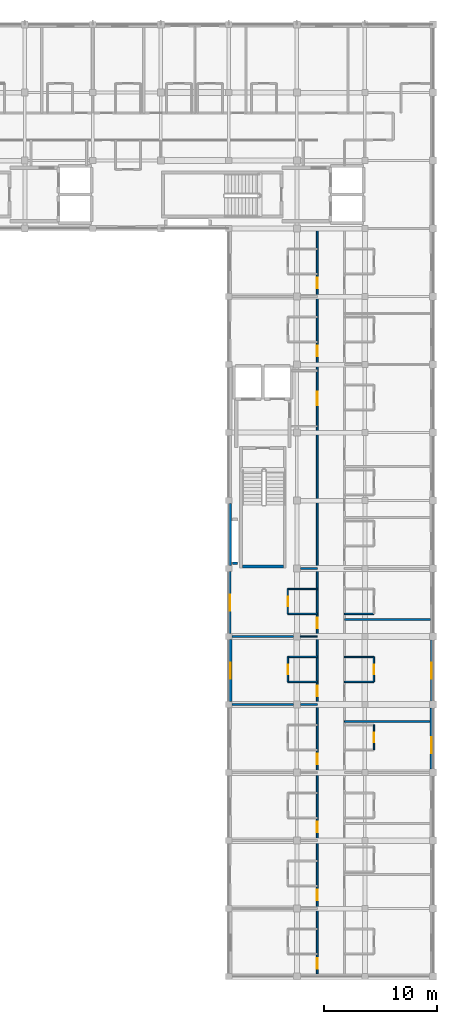
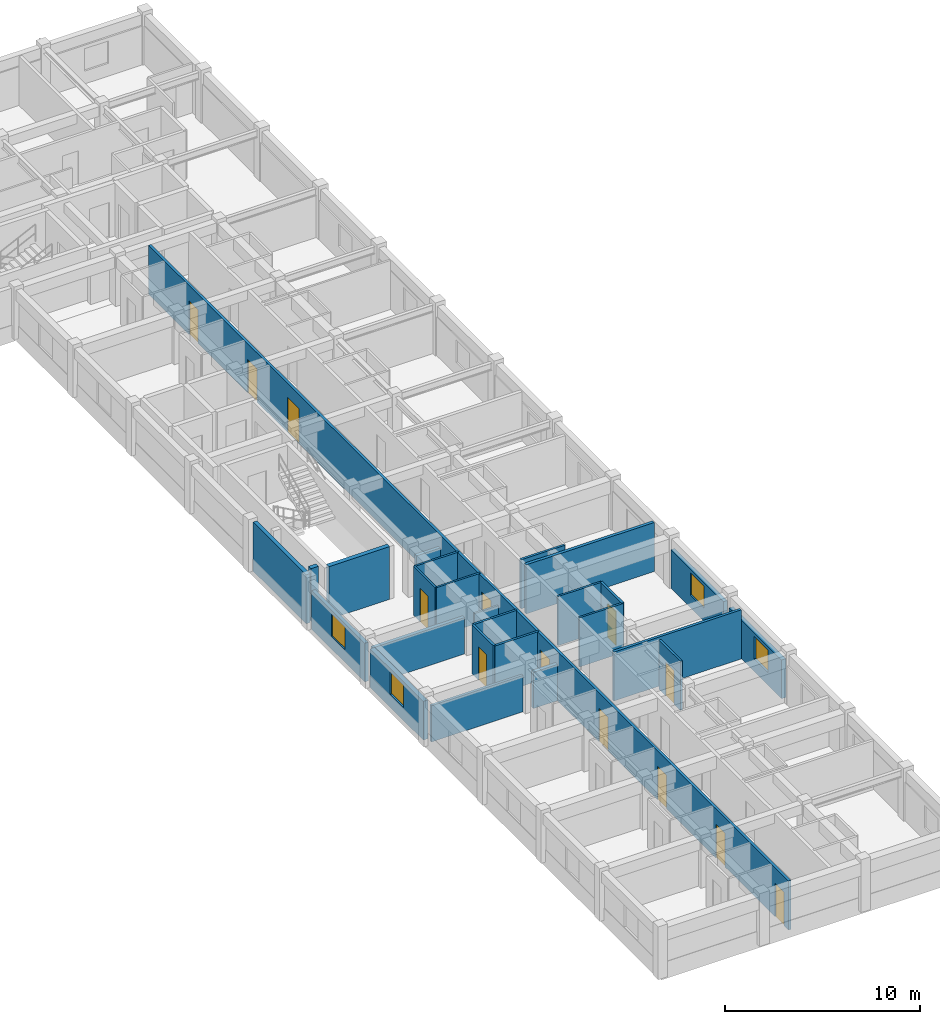
# One storey, part 5 of 21: 26 walls, 13 doors, 4 windows, 17 openings.
"""IFC4 building model written with IfcOpenShell, lengths in metres."""

from ifc_helpers import new_model, si_unit, direction, frame, frame_2d, origin, place, context, subcontext, project, spatial, rectangle, extrude, material, layer, layer_set, type_object, element, fill, save


model = new_model("IFC4")

# Units and contexts
model_context = context("Model", 3, precision=1e-05, world=origin(), true_north=direction((0.0, 1.0)))
body_context = subcontext(model_context, "Body", "Model", "MODEL_VIEW")
ifc_project = project(units=[si_unit("LENGTHUNIT", "METRE"), si_unit("AREAUNIT", "SQUARE_METRE"), si_unit("VOLUMEUNIT", "CUBIC_METRE"), si_unit("PLANEANGLEUNIT", "RADIAN"), si_unit("MASSUNIT", "GRAM", prefix="KILO"), si_unit("THERMODYNAMICTEMPERATUREUNIT", "KELVIN"), si_unit("POWERUNIT", "WATT")], contexts=[model_context])

# Site, building, storey
site_placement = place(None, origin())
site = spatial("IfcSite", under=ifc_project, at=site_placement, CompositionType="ELEMENT")
building_placement = place(site_placement, origin())
building = spatial("IfcBuilding", under=site, at=building_placement, Name="Phaisarnlok Congress Hotel", CompositionType="ELEMENT")
storey_placement = place(building_placement, frame((0.0, 0.0, 34.800048828125)))
storey = spatial("IfcBuildingStorey", under=building, at=storey_placement, Name="L08", CompositionType="ELEMENT", Elevation=34.800048828125)

# Wall, opening, window
ifc_material_1 = material(Name="Concrete C40/50", Category="concrete")
ifc_layer_1 = layer(ifc_material_1, 0.2099609375, Name="Concrete C40/50")
ifc_layer_set_1 = layer_set([ifc_layer_1], Name="Concrete C40/50")
wall_type_1 = type_object("IfcWallType", Name="WL-EXT-210", PredefinedType="SOLIDWALL", material=ifc_layer_set_1)
wall_1_placement = place(storey_placement, frame((162.10498046875, 77.719970703125, 0.0), z_axis=(0.0, 0.0, 1.0), x_axis=(0.0, -1.0, 0.0)))
wall_1 = element("IfcWall", 1, at=wall_1_placement, inside=storey, type_object=wall_type_1, Name="Exterior wall EW-07 (L08)", PredefinedType="SOLIDWALL", context=body_context, shape_type="SweptSolid", body=[
    extrude(rectangle(XDim=5.43994140625, YDim=0.2099609375, at=frame_2d((2.719970703125, 0.0))), origin(), (0.0, 0.0, 1.0), 2.419921875),
])
opening_1_placement = place(wall_1_placement, frame((2.02001953125, 0.0, 0.800048828125)))
opening_1 = element("IfcOpeningElement", 2, at=opening_1_placement, cuts=wall_1, Name="Opening W-13", PredefinedType="OPENING", context=body_context, shape_type="SweptSolid", body=[
    extrude(rectangle(XDim=1.39990234375, YDim=1.39990234375, at=frame_2d((0.699951171875, 0.699951171875))), frame((0.0, 0.114990234375, 0.0), z_axis=(0.0, -1.0, 0.0), x_axis=(1.0, 0.0, 0.0)), (0.0, 0.0, 1.0), 0.22998046875),
])
ifc_material_2 = material(Name="Thermally Broken Aluminium & Low-E Double Glazing", Category="aluminium")
window_type = type_object("IfcWindowType", Name="WIN-POD-1400", PartitioningType="SINGLE_PANEL", PredefinedType="WINDOW", material=ifc_material_2)
window_1_placement = place(opening_1_placement, origin())
window_1 = element("IfcWindow", 3, at=window_1_placement, inside=storey, type_object=window_type, Name="Guestroom window W-13 (L08)", OverallHeight=1.39990234375, OverallWidth=1.39990234375, PartitioningType="SINGLE_PANEL", PredefinedType="WINDOW", context=body_context, shape_type="SweptSolid", body=[
    extrude(rectangle(XDim=1.39990234375, YDim=1.39990234375, at=frame_2d((0.699951171875, 0.699951171875))), frame((0.0, 0.030029296875, 0.0), z_axis=(0.0, -1.0, 0.0), x_axis=(1.0, 0.0, 0.0)), (0.0, 0.0, 1.0), 0.06005859375),
])
fill(opening_1, window_1)

ifc_layer_2 = layer(ifc_material_1, 0.22998046875, Name="Concrete C40/50")
ifc_layer_set_2 = layer_set([ifc_layer_2], Name="Concrete C40/50")
wall_type_2 = type_object("IfcWallType", Name="WL-EXT-230", PredefinedType="SOLIDWALL", material=ifc_layer_set_2)
wall_2_placement = place(storey_placement, frame((179.885009765625, 66.304931640625, 0.0), z_axis=(0.0, 0.0, 1.0), x_axis=(0.0, 1.0, 0.0)))
wall_2 = element("IfcWall", 4, at=wall_2_placement, inside=storey, type_object=wall_type_2, Name="Exterior wall EW-06 (L08)", PredefinedType="SOLIDWALL", context=body_context, shape_type="SweptSolid", body=[
    extrude(rectangle(XDim=5.39013671875, YDim=0.22998046875, at=frame_2d((2.695068359375, 0.0))), origin(), (0.0, 0.0, 1.0), 2.419921875),
])
opening_2_placement = place(wall_2_placement, frame((1.9951171875, 0.0, 0.800048828125)))
opening_2 = element("IfcOpeningElement", 5, at=opening_2_placement, cuts=wall_2, Name="Opening W-13", PredefinedType="OPENING", context=body_context, shape_type="SweptSolid", body=[
    extrude(rectangle(XDim=1.39990234375, YDim=1.39990234375, at=frame_2d((0.699951171875, 0.699951171875))), frame((0.0, 0.125, 0.0), z_axis=(0.0, -1.0, 0.0), x_axis=(1.0, 0.0, 0.0)), (0.0, 0.0, 1.0), 0.25),
])
window_2_placement = place(opening_2_placement, origin())
window_2 = element("IfcWindow", 6, at=window_2_placement, inside=storey, type_object=window_type, Name="Guestroom window W-13 (L08)", OverallHeight=1.39990234375, OverallWidth=1.39990234375, PartitioningType="SINGLE_PANEL", PredefinedType="WINDOW", context=body_context, shape_type="SweptSolid", body=[
    extrude(rectangle(XDim=1.39990234375, YDim=1.39990234375, at=frame_2d((0.699951171875, 0.699951171875))), frame((0.0, 0.030029296875, 0.0), z_axis=(0.0, -1.0, 0.0), x_axis=(1.0, 0.0, 0.0)), (0.0, 0.0, 1.0), 0.06005859375),
])
fill(opening_2, window_2)

# Wall
wall_3_placement = place(storey_placement, frame((162.114990234375, 83.719970703125, 0.0), z_axis=(0.0, 0.0, 1.0), x_axis=(0.0, -1.0, 0.0)))
element("IfcWall", 7, at=wall_3_placement, inside=storey, type_object=wall_type_2, Name="Exterior wall EW-06 (L08)", PredefinedType="SOLIDWALL", context=body_context, shape_type="SweptSolid", body=[
    extrude(rectangle(XDim=5.43994140625, YDim=0.22998046875, at=frame_2d((2.719970703125, 0.0))), origin(), (0.0, 0.0, 1.0), 3.070068359375),
])

# Wall, opening, window
ifc_layer_3 = layer(ifc_material_1, 0.25, Name="Concrete C40/50")
ifc_layer_set_3 = layer_set([ifc_layer_3], Name="Concrete C40/50")
wall_type_3 = type_object("IfcWallType", Name="WL-EXT-250", PredefinedType="SOLIDWALL", material=ifc_layer_set_3)
wall_4_placement = place(storey_placement, frame((179.875, 60.304931640625, 0.0), z_axis=(0.0, 0.0, 1.0), x_axis=(0.0, 1.0, 0.0)))
wall_4 = element("IfcWall", 8, at=wall_4_placement, inside=storey, type_object=wall_type_3, Name="Exterior wall EW-05 (L08)", PredefinedType="SOLIDWALL", context=body_context, shape_type="SweptSolid", body=[
    extrude(rectangle(XDim=5.39013671875, YDim=0.25, at=frame_2d((2.695068359375, 0.0))), origin(), (0.0, 0.0, 1.0), 2.419921875),
])
opening_3_placement = place(wall_4_placement, frame((1.406982421875, 0.0, 0.800048828125)))
opening_3 = element("IfcOpeningElement", 9, at=opening_3_placement, cuts=wall_4, Name="Opening W-13", PredefinedType="OPENING", context=body_context, shape_type="SweptSolid", body=[
    extrude(rectangle(XDim=1.39990234375, YDim=1.39990234375, at=frame_2d((0.699951171875, 0.699951171875))), frame((0.0, 0.135009765625, 0.0), z_axis=(0.0, -1.0, 0.0), x_axis=(1.0, 0.0, 0.0)), (0.0, 0.0, 1.0), 0.27001953125),
])
window_3_placement = place(opening_3_placement, origin())
window_3 = element("IfcWindow", 10, at=window_3_placement, inside=storey, type_object=window_type, Name="Guestroom window W-13 (L08)", OverallHeight=1.39990234375, OverallWidth=1.39990234375, PartitioningType="SINGLE_PANEL", PredefinedType="WINDOW", context=body_context, shape_type="SweptSolid", body=[
    extrude(rectangle(XDim=1.39990234375, YDim=1.39990234375, at=frame_2d((0.699951171875, 0.699951171875))), frame((0.0, 0.030029296875, 0.0), z_axis=(0.0, -1.0, 0.0), x_axis=(1.0, 0.0, 0.0)), (0.0, 0.0, 1.0), 0.06005859375),
])
fill(opening_3, window_3)

ifc_layer_4 = layer(ifc_material_1, 0.27001953125, Name="Concrete C40/50")
ifc_layer_set_4 = layer_set([ifc_layer_4], Name="Concrete C40/50")
wall_type_4 = type_object("IfcWallType", Name="WL-EXT-270", PredefinedType="SOLIDWALL", material=ifc_layer_set_4)
wall_5_placement = place(storey_placement, frame((162.135009765625, 71.719970703125, 0.0), z_axis=(0.0, 0.0, 1.0), x_axis=(0.0, -1.0, 0.0)))
wall_5 = element("IfcWall", 11, at=wall_5_placement, inside=storey, type_object=wall_type_4, Name="Exterior wall EW-04 (L08)", PredefinedType="SOLIDWALL", context=body_context, shape_type="SweptSolid", body=[
    extrude(rectangle(XDim=5.43994140625, YDim=0.27001953125, at=frame_2d((2.719970703125, 0.0))), origin(), (0.0, 0.0, 1.0), 2.419921875),
])
opening_4_placement = place(wall_5_placement, frame((2.02001953125, 0.0, 0.800048828125)))
opening_4 = element("IfcOpeningElement", 12, at=opening_4_placement, cuts=wall_5, Name="Opening W-13", PredefinedType="OPENING", context=body_context, shape_type="SweptSolid", body=[
    extrude(rectangle(XDim=1.39990234375, YDim=1.39990234375, at=frame_2d((0.699951171875, 0.699951171875))), frame((0.0, 0.14501953125, 0.0), z_axis=(0.0, -1.0, 0.0), x_axis=(1.0, 0.0, 0.0)), (0.0, 0.0, 1.0), 0.2900390625),
])
window_4_placement = place(opening_4_placement, origin())
window_4 = element("IfcWindow", 13, at=window_4_placement, inside=storey, type_object=window_type, Name="Guestroom window W-13 (L08)", OverallHeight=1.39990234375, OverallWidth=1.39990234375, PartitioningType="SINGLE_PANEL", PredefinedType="WINDOW", context=body_context, shape_type="SweptSolid", body=[
    extrude(rectangle(XDim=1.39990234375, YDim=1.39990234375, at=frame_2d((0.699951171875, 0.699951171875))), frame((0.0, 0.030029296875, 0.0), z_axis=(0.0, -1.0, 0.0), x_axis=(1.0, 0.0, 0.0)), (0.0, 0.0, 1.0), 0.06005859375),
])
fill(opening_4, window_4)

# Wall
ifc_material_3 = material(Name="Service Riser Shaftwall Partition", Category="gypsum")
ifc_layer_5 = layer(ifc_material_3, 0.10498046875, Name="Service Riser Shaftwall Partition")
ifc_layer_set_5 = layer_set([ifc_layer_5], Name="Service Riser Shaftwall Partition")
wall_type_5 = type_object("IfcWallType", Name="WL-INT-105", PredefinedType="PARTITIONING", material=ifc_layer_set_5)
wall_6_placement = place(storey_placement, frame((168.304931640625, 72.0, 0.0), z_axis=(0.0, 0.0, 1.0), x_axis=(1.0, 0.0, 0.0)))
element("IfcWall", 14, at=wall_6_placement, inside=storey, type_object=wall_type_5, Name="Interior partition wall IW-08 (L08)", PredefinedType="PARTITIONING", context=body_context, shape_type="SweptSolid", body=[
    extrude(rectangle(XDim=1.4951171875, YDim=0.10498046875, at=frame_2d((0.74755859375, 0.0))), origin(), (0.0, 0.0, 1.0), 2.27001953125),
])

# Wall, opening, door
ifc_material_4 = material(Name="Lightweight Metal-Stud Gypsum Partition", Category="gypsum")
ifc_layer_6 = layer(ifc_material_4, 0.1201171875, Name="Lightweight Metal-Stud Gypsum Partition")
ifc_layer_set_6 = layer_set([ifc_layer_6], Name="Lightweight Metal-Stud Gypsum Partition")
wall_type_6 = type_object("IfcWallType", Name="WL-INT-120", PredefinedType="PARTITIONING", material=ifc_layer_set_6)
wall_7_placement = place(storey_placement, frame((167.199951171875, 74.0, 0.0), z_axis=(0.0, 0.0, 1.0), x_axis=(0.0, 1.0, 0.0)))
wall_7 = element("IfcWall", 15, at=wall_7_placement, inside=storey, type_object=wall_type_6, Name="Interior partition wall IW-07 (L08)", PredefinedType="PARTITIONING", context=body_context, shape_type="SweptSolid", body=[
    extrude(rectangle(XDim=2.199951171875, YDim=0.1201171875, at=frame_2d((1.10009765625, 0.0))), origin(), (0.0, 0.0, 1.0), 3.070068359375),
])
opening_5_placement = place(wall_7_placement, frame((0.675048828125, 0.0, 0.0)))
opening_5 = element("IfcOpeningElement", 16, at=opening_5_placement, cuts=wall_7, Name="Opening D-0480", PredefinedType="OPENING", context=body_context, shape_type="SweptSolid", body=[
    extrude(rectangle(XDim=0.85009765625, YDim=2.10009765625, at=frame_2d((0.425048828125, 1.050048828125))), frame((0.0, 0.070068359375, 0.0), z_axis=(0.0, -1.0, 0.0), x_axis=(1.0, 0.0, 0.0)), (0.0, 0.0, 1.0), 0.14013671875),
])
ifc_material_5 = material(Name="Moisture-Resistant Lacquered Timber", Category="wood")
door_type_1 = type_object("IfcDoorType", Name="DR-BATH-850", OperationType="NOTDEFINED", PredefinedType="DOOR", material=ifc_material_5)
door_1_placement = place(opening_5_placement, origin())
door_1 = element("IfcDoor", 17, at=door_1_placement, inside=storey, type_object=door_type_1, Name="Interior door D-0480 (L08)", OperationType="SINGLE_SWING_LEFT", OverallHeight=2.10009765625, OverallWidth=0.85009765625, PredefinedType="DOOR", context=body_context, shape_type="SweptSolid", body=[
    extrude(rectangle(XDim=0.85009765625, YDim=2.10009765625, at=frame_2d((0.425048828125, 1.050048828125))), frame((0.0, 0.02490234375, 0.0), z_axis=(0.0, -1.0, 0.0), x_axis=(1.0, 0.0, 0.0)), (0.0, 0.0, 1.0), 0.050048828125),
])
fill(opening_5, door_1)

wall_8_placement = place(storey_placement, frame((174.800048828125, 62.0, 0.0), z_axis=(0.0, 0.0, 1.0), x_axis=(0.0, 1.0, 0.0)))
wall_8 = element("IfcWall", 18, at=wall_8_placement, inside=storey, type_object=wall_type_6, Name="Interior partition wall IW-07 (L08)", PredefinedType="PARTITIONING", context=body_context, shape_type="SweptSolid", body=[
    extrude(rectangle(XDim=2.199951171875, YDim=0.1201171875, at=frame_2d((1.10009765625, 0.0))), origin(), (0.0, 0.0, 1.0), 3.070068359375),
])
opening_6_placement = place(wall_8_placement, frame((0.675048828125, 0.0, 0.0)))
opening_6 = element("IfcOpeningElement", 19, at=opening_6_placement, cuts=wall_8, Name="Opening D-0453", PredefinedType="OPENING", context=body_context, shape_type="SweptSolid", body=[
    extrude(rectangle(XDim=0.85009765625, YDim=2.10009765625, at=frame_2d((0.425048828125, 1.050048828125))), frame((0.0, 0.070068359375, 0.0), z_axis=(0.0, -1.0, 0.0), x_axis=(1.0, 0.0, 0.0)), (0.0, 0.0, 1.0), 0.14013671875),
])
door_2_placement = place(opening_6_placement, origin())
door_2 = element("IfcDoor", 20, at=door_2_placement, inside=storey, type_object=door_type_1, Name="Interior door D-0453 (L08)", OperationType="SINGLE_SWING_RIGHT", OverallHeight=2.10009765625, OverallWidth=0.85009765625, PredefinedType="DOOR", context=body_context, shape_type="SweptSolid", body=[
    extrude(rectangle(XDim=0.85009765625, YDim=2.10009765625, at=frame_2d((0.425048828125, 1.050048828125))), frame((0.0, 0.02490234375, 0.0), z_axis=(0.0, -1.0, 0.0), x_axis=(1.0, 0.0, 0.0)), (0.0, 0.0, 1.0), 0.050048828125),
])
fill(opening_6, door_2)

# Walls
for number, where, z_axis, x_axis, name in (
    (21, (172.199951171875, 68.0, 0.0), (0.0, 0.0, 1.0), (1.0, 0.0, 0.0), "Interior partition wall IW-07 (L08)"),
    (22, (172.199951171875, 70.199951171875, 0.0), (0.0, 0.0, 1.0), (1.0, 0.0, 0.0), "Interior partition wall IW-07 (L08)"),
    (23, (167.199951171875, 74.0, 0.0), (0.0, 0.0, 1.0), (1.0, 0.0, 0.0), "Interior partition wall IW-07 (L08)"),
    (24, (167.199951171875, 76.199951171875, 0.0), (0.0, 0.0, 1.0), (1.0, 0.0, 0.0), "Interior partition wall IW-07 (L08)"),
):
    element("IfcWall", number, at=place(storey_placement, frame(where, z_axis=z_axis, x_axis=x_axis)), inside=storey, type_object=wall_type_6, Name=name, PredefinedType="PARTITIONING", context=body_context, shape_type="SweptSolid", body=[
        extrude(rectangle(XDim=2.60009765625, YDim=0.1201171875, at=frame_2d((1.300048828125, 0.0))), origin(), (0.0, 0.0, 1.0), 3.070068359375),
    ])

# Wall, opening, door
ifc_material_6 = material(Name="Moisture-Resistant Gypsum Partition", Category="gypsum")
ifc_layer_7 = layer(ifc_material_6, 0.135009765625, Name="Moisture-Resistant Gypsum Partition")
ifc_layer_set_7 = layer_set([ifc_layer_7], Name="Moisture-Resistant Gypsum Partition")
wall_type_7 = type_object("IfcWallType", Name="WL-INT-135", PredefinedType="PARTITIONING", material=ifc_layer_set_7)
wall_9_placement = place(storey_placement, frame((167.199951171875, 68.0, 0.0), z_axis=(0.0, 0.0, 1.0), x_axis=(0.0, 1.0, 0.0)))
wall_9 = element("IfcWall", 25, at=wall_9_placement, inside=storey, type_object=wall_type_7, Name="Interior partition wall IW-06 (L08)", PredefinedType="PARTITIONING", context=body_context, shape_type="SweptSolid", body=[
    extrude(rectangle(XDim=2.199951171875, YDim=0.135009765625, at=frame_2d((1.10009765625, 0.0))), origin(), (0.0, 0.0, 1.0), 3.070068359375),
])
opening_7_placement = place(wall_9_placement, frame((0.675048828125, 0.0, 0.0)))
opening_7 = element("IfcOpeningElement", 26, at=opening_7_placement, cuts=wall_9, Name="Opening D-0478", PredefinedType="OPENING", context=body_context, shape_type="SweptSolid", body=[
    extrude(rectangle(XDim=0.85009765625, YDim=2.10009765625, at=frame_2d((0.425048828125, 1.050048828125))), frame((0.0, 0.07763671875, 0.0), z_axis=(0.0, -1.0, 0.0), x_axis=(1.0, 0.0, 0.0)), (0.0, 0.0, 1.0), 0.155029296875),
])
door_3_placement = place(opening_7_placement, origin())
door_3 = element("IfcDoor", 27, at=door_3_placement, inside=storey, type_object=door_type_1, Name="Interior door D-0478 (L08)", OperationType="SINGLE_SWING_LEFT", OverallHeight=2.10009765625, OverallWidth=0.85009765625, PredefinedType="DOOR", context=body_context, shape_type="SweptSolid", body=[
    extrude(rectangle(XDim=0.85009765625, YDim=2.10009765625, at=frame_2d((0.425048828125, 1.050048828125))), frame((0.0, 0.02490234375, 0.0), z_axis=(0.0, -1.0, 0.0), x_axis=(1.0, 0.0, 0.0)), (0.0, 0.0, 1.0), 0.050048828125),
])
fill(opening_7, door_3)

wall_10_placement = place(storey_placement, frame((174.800048828125, 68.0, 0.0), z_axis=(0.0, 0.0, 1.0), x_axis=(0.0, 1.0, 0.0)))
wall_10 = element("IfcWall", 28, at=wall_10_placement, inside=storey, type_object=wall_type_7, Name="Interior partition wall IW-06 (L08)", PredefinedType="PARTITIONING", context=body_context, shape_type="SweptSolid", body=[
    extrude(rectangle(XDim=2.199951171875, YDim=0.135009765625, at=frame_2d((1.10009765625, 0.0))), origin(), (0.0, 0.0, 1.0), 3.070068359375),
])
opening_8_placement = place(wall_10_placement, frame((0.675048828125, 0.0, 0.0)))
opening_8 = element("IfcOpeningElement", 29, at=opening_8_placement, cuts=wall_10, Name="Opening D-0455", PredefinedType="OPENING", context=body_context, shape_type="SweptSolid", body=[
    extrude(rectangle(XDim=0.85009765625, YDim=2.10009765625, at=frame_2d((0.425048828125, 1.050048828125))), frame((0.0, 0.07763671875, 0.0), z_axis=(0.0, -1.0, 0.0), x_axis=(1.0, 0.0, 0.0)), (0.0, 0.0, 1.0), 0.155029296875),
])
door_4_placement = place(opening_8_placement, origin())
door_4 = element("IfcDoor", 30, at=door_4_placement, inside=storey, type_object=door_type_1, Name="Interior door D-0455 (L08)", OperationType="SINGLE_SWING_RIGHT", OverallHeight=2.10009765625, OverallWidth=0.85009765625, PredefinedType="DOOR", context=body_context, shape_type="SweptSolid", body=[
    extrude(rectangle(XDim=0.85009765625, YDim=2.10009765625, at=frame_2d((0.425048828125, 1.050048828125))), frame((0.0, 0.02490234375, 0.0), z_axis=(0.0, -1.0, 0.0), x_axis=(1.0, 0.0, 0.0)), (0.0, 0.0, 1.0), 0.050048828125),
])
fill(opening_8, door_4)

# Walls
for number, where, z_axis, x_axis, name in (
    (31, (167.199951171875, 68.0, 0.0), (0.0, 0.0, 1.0), (1.0, 0.0, 0.0), "Interior partition wall IW-06 (L08)"),
    (32, (167.199951171875, 70.199951171875, 0.0), (0.0, 0.0, 1.0), (1.0, 0.0, 0.0), "Interior partition wall IW-06 (L08)"),
    (33, (172.199951171875, 74.0, 0.0), (0.0, 0.0, 1.0), (1.0, 0.0, 0.0), "Interior partition wall IW-06 (L08)"),
):
    element("IfcWall", number, at=place(storey_placement, frame(where, z_axis=z_axis, x_axis=x_axis)), inside=storey, type_object=wall_type_7, Name=name, PredefinedType="PARTITIONING", context=body_context, shape_type="SweptSolid", body=[
        extrude(rectangle(XDim=2.60009765625, YDim=0.135009765625, at=frame_2d((1.300048828125, 0.0))), origin(), (0.0, 0.0, 1.0), 3.070068359375),
    ])

# Wall, openings, doors
ifc_material_7 = material(Name="Acoustic Gypsum Board & Mineral Wool", Category="gypsum")
ifc_layer_8 = layer(ifc_material_7, 0.14990234375, Name="Acoustic Gypsum Board & Mineral Wool")
ifc_layer_set_8 = layer_set([ifc_layer_8], Name="Acoustic Gypsum Board & Mineral Wool")
wall_type_8 = type_object("IfcWallType", Name="WL-INT-150", PredefinedType="PARTITIONING", material=ifc_layer_set_8)
wall_11_placement = place(storey_placement, frame((169.800048828125, 42.235107421875, 0.0), z_axis=(0.0, 0.0, 1.0), x_axis=(0.0, 1.0, 0.0)))
wall_11 = element("IfcWall", 34, at=wall_11_placement, inside=storey, type_object=wall_type_8, Name="Interior partition wall IW-05 (L08)", PredefinedType="PARTITIONING", context=body_context, shape_type="SweptSolid", body=[
    extrude(rectangle(XDim=65.5849609375, YDim=0.14990234375, at=frame_2d((32.79248046875, 0.0))), origin(), (0.0, 0.0, 1.0), 3.070068359375),
])
opening_9_placement = place(wall_11_placement, frame((50.1650390625, 0.0, 0.0)))
opening_9 = element("IfcOpeningElement", 35, at=opening_9_placement, cuts=wall_11, Name="Opening D-0400", PredefinedType="OPENING", context=body_context, shape_type="SweptSolid", body=[
    extrude(rectangle(XDim=1.199951171875, YDim=2.199951171875, at=frame_2d((0.60009765625, 1.10009765625))), frame((0.0, 0.0849609375, 0.0), z_axis=(0.0, -1.0, 0.0), x_axis=(1.0, 0.0, 0.0)), (0.0, 0.0, 1.0), 0.169921875),
])
opening_10_placement = place(wall_11_placement, frame((0.43994140625, 0.0, 0.0)))
opening_10 = element("IfcOpeningElement", 36, at=opening_10_placement, cuts=wall_11, Name="Opening D-0471", PredefinedType="OPENING", context=body_context, shape_type="SweptSolid", body=[
    extrude(rectangle(XDim=0.949951171875, YDim=2.10009765625, at=frame_2d((0.47509765625, 1.050048828125))), frame((0.0, 0.0849609375, 0.0), z_axis=(0.0, -1.0, 0.0), x_axis=(1.0, 0.0, 0.0)), (0.0, 0.0, 1.0), 0.169921875),
])
opening_11_placement = place(wall_11_placement, frame((6.489990234375, 0.0, 0.0)))
opening_11 = element("IfcOpeningElement", 37, at=opening_11_placement, cuts=wall_11, Name="Opening D-0473", PredefinedType="OPENING", context=body_context, shape_type="SweptSolid", body=[
    extrude(rectangle(XDim=0.949951171875, YDim=2.10009765625, at=frame_2d((0.47509765625, 1.050048828125))), frame((0.0, 0.0849609375, 0.0), z_axis=(0.0, -1.0, 0.0), x_axis=(1.0, 0.0, 0.0)), (0.0, 0.0, 1.0), 0.169921875),
])
opening_12_placement = place(wall_11_placement, frame((12.489990234375, 0.0, 0.0)))
opening_12 = element("IfcOpeningElement", 38, at=opening_12_placement, cuts=wall_11, Name="Opening D-0475", PredefinedType="OPENING", context=body_context, shape_type="SweptSolid", body=[
    extrude(rectangle(XDim=0.949951171875, YDim=2.10009765625, at=frame_2d((0.47509765625, 1.050048828125))), frame((0.0, 0.0849609375, 0.0), z_axis=(0.0, -1.0, 0.0), x_axis=(1.0, 0.0, 0.0)), (0.0, 0.0, 1.0), 0.169921875),
])
opening_13_placement = place(wall_11_placement, frame((18.489990234375, 0.0, 0.0)))
opening_13 = element("IfcOpeningElement", 39, at=opening_13_placement, cuts=wall_11, Name="Opening D-0477", PredefinedType="OPENING", context=body_context, shape_type="SweptSolid", body=[
    extrude(rectangle(XDim=0.949951171875, YDim=2.10009765625, at=frame_2d((0.47509765625, 1.050048828125))), frame((0.0, 0.0849609375, 0.0), z_axis=(0.0, -1.0, 0.0), x_axis=(1.0, 0.0, 0.0)), (0.0, 0.0, 1.0), 0.169921875),
])
opening_14_placement = place(wall_11_placement, frame((24.489990234375, 0.0, 0.0)))
opening_14 = element("IfcOpeningElement", 40, at=opening_14_placement, cuts=wall_11, Name="Opening D-0479", PredefinedType="OPENING", context=body_context, shape_type="SweptSolid", body=[
    extrude(rectangle(XDim=0.949951171875, YDim=2.10009765625, at=frame_2d((0.47509765625, 1.050048828125))), frame((0.0, 0.0849609375, 0.0), z_axis=(0.0, -1.0, 0.0), x_axis=(1.0, 0.0, 0.0)), (0.0, 0.0, 1.0), 0.169921875),
])
opening_15_placement = place(wall_11_placement, frame((30.489990234375, 0.0, 0.0)))
opening_15 = element("IfcOpeningElement", 41, at=opening_15_placement, cuts=wall_11, Name="Opening D-0481", PredefinedType="OPENING", context=body_context, shape_type="SweptSolid", body=[
    extrude(rectangle(XDim=0.949951171875, YDim=2.10009765625, at=frame_2d((0.47509765625, 1.050048828125))), frame((0.0, 0.0849609375, 0.0), z_axis=(0.0, -1.0, 0.0), x_axis=(1.0, 0.0, 0.0)), (0.0, 0.0, 1.0), 0.169921875),
])
opening_16_placement = place(wall_11_placement, frame((54.489990234375, 0.0, 0.0)))
opening_16 = element("IfcOpeningElement", 42, at=opening_16_placement, cuts=wall_11, Name="Opening D-0483", PredefinedType="OPENING", context=body_context, shape_type="SweptSolid", body=[
    extrude(rectangle(XDim=0.949951171875, YDim=2.10009765625, at=frame_2d((0.47509765625, 1.050048828125))), frame((0.0, 0.0849609375, 0.0), z_axis=(0.0, -1.0, 0.0), x_axis=(1.0, 0.0, 0.0)), (0.0, 0.0, 1.0), 0.169921875),
])
opening_17_placement = place(wall_11_placement, frame((60.489990234375, 0.0, 0.0)))
opening_17 = element("IfcOpeningElement", 43, at=opening_17_placement, cuts=wall_11, Name="Opening D-0485", PredefinedType="OPENING", context=body_context, shape_type="SweptSolid", body=[
    extrude(rectangle(XDim=0.949951171875, YDim=2.10009765625, at=frame_2d((0.47509765625, 1.050048828125))), frame((0.0, 0.0849609375, 0.0), z_axis=(0.0, -1.0, 0.0), x_axis=(1.0, 0.0, 0.0)), (0.0, 0.0, 1.0), 0.169921875),
])
ifc_material_8 = material(Name="Acoustic Solid-Core Teak Veneer", Category="wood")
door_type_2 = type_object("IfcDoorType", Name="DR-FD30-950", OperationType="NOTDEFINED", PredefinedType="DOOR", material=ifc_material_8)
door_5_placement = place(opening_10_placement, origin())
door_5 = element("IfcDoor", 44, at=door_5_placement, inside=storey, type_object=door_type_2, Name="Interior door D-0471 (L08)", OperationType="SINGLE_SWING_RIGHT", OverallHeight=2.10009765625, OverallWidth=0.949951171875, PredefinedType="DOOR", context=body_context, shape_type="SweptSolid", body=[
    extrude(rectangle(XDim=0.949951171875, YDim=2.10009765625, at=frame_2d((0.47509765625, 1.050048828125))), frame((0.0, 0.02490234375, 0.0), z_axis=(0.0, -1.0, 0.0), x_axis=(1.0, 0.0, 0.0)), (0.0, 0.0, 1.0), 0.050048828125),
])
fill(opening_10, door_5)
door_6_placement = place(opening_11_placement, origin())
door_6 = element("IfcDoor", 45, at=door_6_placement, inside=storey, type_object=door_type_2, Name="Interior door D-0473 (L08)", OperationType="SINGLE_SWING_RIGHT", OverallHeight=2.10009765625, OverallWidth=0.949951171875, PredefinedType="DOOR", context=body_context, shape_type="SweptSolid", body=[
    extrude(rectangle(XDim=0.949951171875, YDim=2.10009765625, at=frame_2d((0.47509765625, 1.050048828125))), frame((0.0, 0.02490234375, 0.0), z_axis=(0.0, -1.0, 0.0), x_axis=(1.0, 0.0, 0.0)), (0.0, 0.0, 1.0), 0.050048828125),
])
fill(opening_11, door_6)
door_7_placement = place(opening_12_placement, origin())
door_7 = element("IfcDoor", 46, at=door_7_placement, inside=storey, type_object=door_type_2, Name="Interior door D-0475 (L08)", OperationType="SINGLE_SWING_RIGHT", OverallHeight=2.10009765625, OverallWidth=0.949951171875, PredefinedType="DOOR", context=body_context, shape_type="SweptSolid", body=[
    extrude(rectangle(XDim=0.949951171875, YDim=2.10009765625, at=frame_2d((0.47509765625, 1.050048828125))), frame((0.0, 0.02490234375, 0.0), z_axis=(0.0, -1.0, 0.0), x_axis=(1.0, 0.0, 0.0)), (0.0, 0.0, 1.0), 0.050048828125),
])
fill(opening_12, door_7)
door_8_placement = place(opening_13_placement, origin())
door_8 = element("IfcDoor", 47, at=door_8_placement, inside=storey, type_object=door_type_2, Name="Interior door D-0477 (L08)", OperationType="SINGLE_SWING_RIGHT", OverallHeight=2.10009765625, OverallWidth=0.949951171875, PredefinedType="DOOR", context=body_context, shape_type="SweptSolid", body=[
    extrude(rectangle(XDim=0.949951171875, YDim=2.10009765625, at=frame_2d((0.47509765625, 1.050048828125))), frame((0.0, 0.02490234375, 0.0), z_axis=(0.0, -1.0, 0.0), x_axis=(1.0, 0.0, 0.0)), (0.0, 0.0, 1.0), 0.050048828125),
])
fill(opening_13, door_8)
door_9_placement = place(opening_14_placement, origin())
door_9 = element("IfcDoor", 48, at=door_9_placement, inside=storey, type_object=door_type_2, Name="Interior door D-0479 (L08)", OperationType="SINGLE_SWING_RIGHT", OverallHeight=2.10009765625, OverallWidth=0.949951171875, PredefinedType="DOOR", context=body_context, shape_type="SweptSolid", body=[
    extrude(rectangle(XDim=0.949951171875, YDim=2.10009765625, at=frame_2d((0.47509765625, 1.050048828125))), frame((0.0, 0.02490234375, 0.0), z_axis=(0.0, -1.0, 0.0), x_axis=(1.0, 0.0, 0.0)), (0.0, 0.0, 1.0), 0.050048828125),
])
fill(opening_14, door_9)
door_10_placement = place(opening_15_placement, origin())
door_10 = element("IfcDoor", 49, at=door_10_placement, inside=storey, type_object=door_type_2, Name="Interior door D-0481 (L08)", OperationType="SINGLE_SWING_RIGHT", OverallHeight=2.10009765625, OverallWidth=0.949951171875, PredefinedType="DOOR", context=body_context, shape_type="SweptSolid", body=[
    extrude(rectangle(XDim=0.949951171875, YDim=2.10009765625, at=frame_2d((0.47509765625, 1.050048828125))), frame((0.0, 0.02490234375, 0.0), z_axis=(0.0, -1.0, 0.0), x_axis=(1.0, 0.0, 0.0)), (0.0, 0.0, 1.0), 0.050048828125),
])
fill(opening_15, door_10)
door_11_placement = place(opening_16_placement, origin())
door_11 = element("IfcDoor", 50, at=door_11_placement, inside=storey, type_object=door_type_2, Name="Interior door D-0483 (L08)", OperationType="SINGLE_SWING_RIGHT", OverallHeight=2.10009765625, OverallWidth=0.949951171875, PredefinedType="DOOR", context=body_context, shape_type="SweptSolid", body=[
    extrude(rectangle(XDim=0.949951171875, YDim=2.10009765625, at=frame_2d((0.47509765625, 1.050048828125))), frame((0.0, 0.02490234375, 0.0), z_axis=(0.0, -1.0, 0.0), x_axis=(1.0, 0.0, 0.0)), (0.0, 0.0, 1.0), 0.050048828125),
])
fill(opening_16, door_11)
door_12_placement = place(opening_17_placement, origin())
door_12 = element("IfcDoor", 51, at=door_12_placement, inside=storey, type_object=door_type_2, Name="Interior door D-0485 (L08)", OperationType="SINGLE_SWING_RIGHT", OverallHeight=2.10009765625, OverallWidth=0.949951171875, PredefinedType="DOOR", context=body_context, shape_type="SweptSolid", body=[
    extrude(rectangle(XDim=0.949951171875, YDim=2.10009765625, at=frame_2d((0.47509765625, 1.050048828125))), frame((0.0, 0.02490234375, 0.0), z_axis=(0.0, -1.0, 0.0), x_axis=(1.0, 0.0, 0.0)), (0.0, 0.0, 1.0), 0.050048828125),
])
fill(opening_17, door_12)
ifc_material_9 = material(Name="Fire-Rated Steel Frame & Timber Leaf", Category="steel")
door_type_3 = type_object("IfcDoorType", Name="DR-FD60-1200", OperationType="NOTDEFINED", PredefinedType="DOOR", material=ifc_material_9)
door_13_placement = place(opening_9_placement, origin())
door_13 = element("IfcDoor", 52, at=door_13_placement, inside=storey, type_object=door_type_3, Name="Interior door D-0400 (L08)", OperationType="SINGLE_SWING_RIGHT", OverallHeight=2.199951171875, OverallWidth=1.199951171875, PredefinedType="DOOR", context=body_context, shape_type="SweptSolid", body=[
    extrude(rectangle(XDim=1.199951171875, YDim=2.199951171875, at=frame_2d((0.60009765625, 1.10009765625))), frame((0.0, 0.02490234375, 0.0), z_axis=(0.0, -1.0, 0.0), x_axis=(1.0, 0.0, 0.0)), (0.0, 0.0, 1.0), 0.050048828125),
])
fill(opening_9, door_13)

# Walls
wall_12_placement = place(storey_placement, frame((162.280029296875, 66.0, 0.0), z_axis=(0.0, 0.0, 1.0), x_axis=(1.0, 0.0, 0.0)))
element("IfcWall", 53, at=wall_12_placement, inside=storey, type_object=wall_type_8, Name="Interior partition wall IW-05 (L08)", PredefinedType="PARTITIONING", context=body_context, shape_type="SweptSolid", body=[
    extrude(rectangle(XDim=5.4150390625, YDim=0.14990234375, at=frame_2d((2.70751953125, 0.0))), origin(), (0.0, 0.0, 1.0), 2.27001953125),
])
ifc_material_10 = material(Name="Double-Stud Acoustic Gypsum Partition", Category="gypsum")
ifc_layer_9 = layer(ifc_material_10, 0.159912109375, Name="Double-Stud Acoustic Gypsum Partition")
ifc_layer_set_9 = layer_set([ifc_layer_9], Name="Double-Stud Acoustic Gypsum Partition")
wall_type_9 = type_object("IfcWallType", Name="WL-INT-160", PredefinedType="PARTITIONING", material=ifc_layer_set_9)
wall_13_placement = place(storey_placement, frame((172.199951171875, 64.5, 0.0), z_axis=(0.0, 0.0, 1.0), x_axis=(1.0, 0.0, 0.0)))
element("IfcWall", 54, at=wall_13_placement, inside=storey, type_object=wall_type_9, Name="Interior partition wall IW-04 (L08)", PredefinedType="PARTITIONING", context=body_context, shape_type="SweptSolid", body=[
    extrude(rectangle(XDim=7.545166015625, YDim=0.159912109375, at=frame_2d((3.7724609375, 0.0))), origin(), (0.0, 0.0, 1.0), 3.070068359375),
])
ifc_material_11 = material(Name="Autoclaved Aerated Concrete Block", Category="concrete")
ifc_layer_10 = layer(ifc_material_11, 0.179931640625, Name="Autoclaved Aerated Concrete Block")
ifc_layer_set_10 = layer_set([ifc_layer_10], Name="Autoclaved Aerated Concrete Block")
wall_type_10 = type_object("IfcWallType", Name="WL-INT-180", PredefinedType="PARTITIONING", material=ifc_layer_set_10)
wall_14_placement = place(storey_placement, frame((172.199951171875, 73.5, 0.0), z_axis=(0.0, 0.0, 1.0), x_axis=(1.0, 0.0, 0.0)))
element("IfcWall", 55, at=wall_14_placement, inside=storey, type_object=wall_type_10, Name="Interior partition wall IW-03 (L08)", PredefinedType="PARTITIONING", context=body_context, shape_type="SweptSolid", body=[
    extrude(rectangle(XDim=7.5849609375, YDim=0.179931640625, at=frame_2d((3.79248046875, 0.0))), origin(), (0.0, 0.0, 1.0), 3.070068359375),
])
wall_15_placement = place(storey_placement, frame((168.304931640625, 78.0, 0.0), z_axis=(0.0, 0.0, 1.0), x_axis=(1.0, 0.0, 0.0)))
element("IfcWall", 56, at=wall_15_placement, inside=storey, type_object=wall_type_10, Name="Interior partition wall IW-03 (L08)", PredefinedType="PARTITIONING", context=body_context, shape_type="SweptSolid", body=[
    extrude(rectangle(XDim=1.4951171875, YDim=0.179931640625, at=frame_2d((0.74755859375, 0.0))), origin(), (0.0, 0.0, 1.0), 2.27001953125),
])
ifc_layer_11 = layer(ifc_material_11, 0.199951171875, Name="Autoclaved Aerated Concrete Block")
ifc_layer_set_11 = layer_set([ifc_layer_11], Name="Autoclaved Aerated Concrete Block")
wall_type_11 = type_object("IfcWallType", Name="WL-INT-200", PredefinedType="PARTITIONING", material=ifc_layer_set_11)
wall_16_placement = place(storey_placement, frame((168.304931640625, 66.0, 0.0), z_axis=(0.0, 0.0, 1.0), x_axis=(1.0, 0.0, 0.0)))
element("IfcWall", 57, at=wall_16_placement, inside=storey, type_object=wall_type_11, Name="Interior partition wall IW-02 (L08)", PredefinedType="PARTITIONING", context=body_context, shape_type="SweptSolid", body=[
    extrude(rectangle(XDim=1.4951171875, YDim=0.199951171875, at=frame_2d((0.74755859375, 0.0))), origin(), (0.0, 0.0, 1.0), 2.27001953125),
])
wall_17_placement = place(storey_placement, frame((162.280029296875, 72.0, 0.0), z_axis=(0.0, 0.0, 1.0), x_axis=(1.0, 0.0, 0.0)))
element("IfcWall", 58, at=wall_17_placement, inside=storey, type_object=wall_type_11, Name="Interior partition wall IW-02 (L08)", PredefinedType="PARTITIONING", context=body_context, shape_type="SweptSolid", body=[
    extrude(rectangle(XDim=5.4150390625, YDim=0.199951171875, at=frame_2d((2.70751953125, 0.0))), origin(), (0.0, 0.0, 1.0), 2.27001953125),
])
ifc_material_12 = material(Name="Concrete C50/60", Category="concrete")
ifc_layer_12 = layer(ifc_material_12, 0.260009765625, Name="Concrete C50/60")
ifc_layer_set_12 = layer_set([ifc_layer_12], Name="Concrete C50/60")
wall_type_12 = type_object("IfcWallType", Name="WL-SHR-260", PredefinedType="SHEAR", material=ifc_layer_set_12)
wall_18_placement = place(storey_placement, frame((163.199951171875, 78.169921875, 0.0), z_axis=(0.0, 0.0, 1.0), x_axis=(1.0, 0.0, 0.0)))
element("IfcWall", 59, at=wall_18_placement, inside=storey, type_object=wall_type_12, Name="Stair shaft shear wall SW-04 (CORE-3 L08)", PredefinedType="SHEAR", context=body_context, shape_type="SweptSolid", body=[
    extrude(rectangle(XDim=3.60009765625, YDim=0.260009765625, at=frame_2d((1.800048828125, 0.0))), origin(), (0.0, 0.0, 1.0), 3.300048828125),
])
wall_19_placement = place(storey_placement, frame((162.330078125, 78.469970703125, 0.0), z_axis=(0.0, 0.0, 1.0), x_axis=(1.0, 0.0, 0.0)))
element("IfcWall", 60, at=wall_19_placement, inside=storey, type_object=wall_type_12, Name="Service riser shaft wall SW-04 (CORE-3 L08)", PredefinedType="SHEAR", context=body_context, shape_type="SweptSolid", body=[
    extrude(rectangle(XDim=0.43994140625, YDim=0.260009765625, at=frame_2d((0.219970703125, 0.0))), origin(), (0.0, 0.0, 1.0), 3.300048828125),
])

save(model, "model.ifc")
